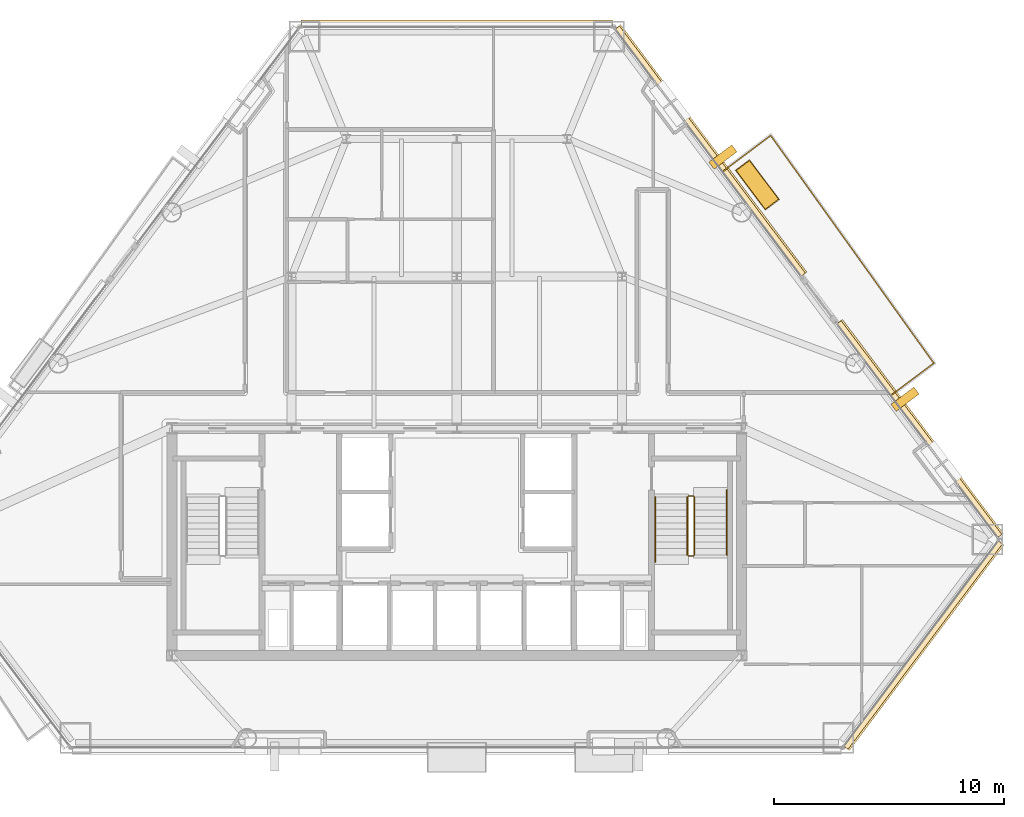
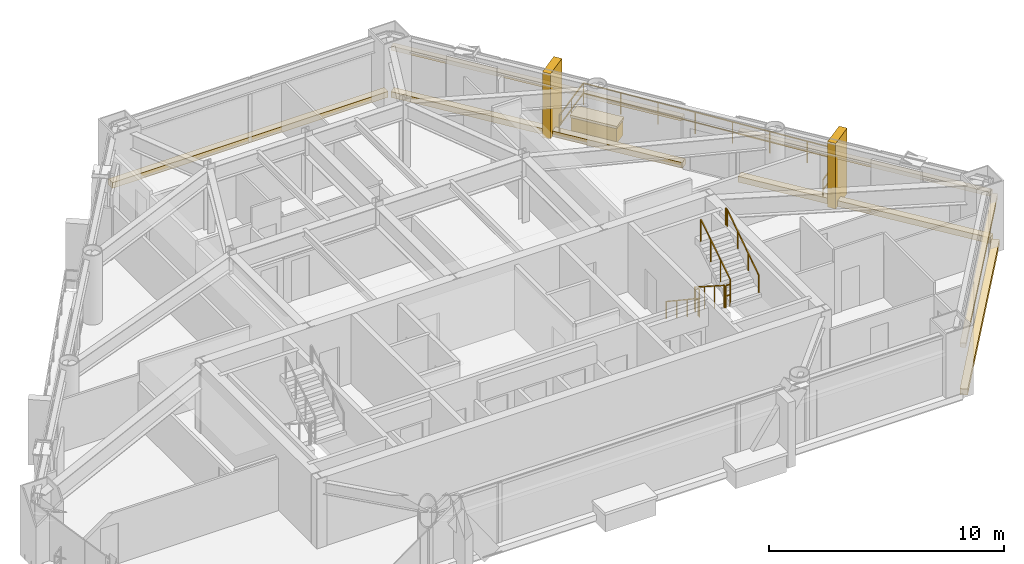
# One storey, part 10 of 10: 11 coverings, 7 railings.
"""IFC4 building model written with IfcOpenShell, lengths in metres."""

from ifc_helpers import new_model, si_unit, direction, frame, origin, origin_2d, place, context, subcontext, project, spatial, rectangle, extrude, material, layer, layer_set, type_object, element, save


model = new_model("IFC4")

# Units and contexts
model_context = context("Model", 3, precision=1e-05, world=origin(), true_north=direction((0.0, 1.0)))
body_context = subcontext(model_context, "Body", "Model", "MODEL_VIEW")
ifc_project = project(units=[si_unit("LENGTHUNIT", "METRE"), si_unit("AREAUNIT", "SQUARE_METRE"), si_unit("VOLUMEUNIT", "CUBIC_METRE"), si_unit("PLANEANGLEUNIT", "RADIAN"), si_unit("MASSUNIT", "GRAM", prefix="KILO")], contexts=[model_context])

# Site, building, storey
site_placement = place(None, origin())
site = spatial("IfcSite", under=ifc_project, at=site_placement, CompositionType="ELEMENT")
building_placement = place(site_placement, origin())
building = spatial("IfcBuilding", under=site, at=building_placement, Name="Talgorran Terracotta Tower", CompositionType="ELEMENT")
storey_placement = place(building_placement, frame((0.0, 0.0, 82.800048828125)))
storey = spatial("IfcBuildingStorey", under=building, at=storey_placement, Name="L21", CompositionType="ELEMENT", Elevation=82.800048828125)

# Coverings
ifc_material_1 = material(Name="Kiln-Fired Terracotta Ochre Ceramic", Category="masonry")
ifc_layer_1 = layer(ifc_material_1, 0.179931640625, Name="COV_BAGUETTE_TERRACOTTA_SCREEN")
ifc_layer_set_1 = layer_set([ifc_layer_1], Name="Kiln-Fired Terracotta Ochre Ceramic")
covering_type_1 = type_object("IfcCoveringType", Name="COV_BAGUETTE_TERRACOTTA_SCREEN", PredefinedType="CLADDING", material=ifc_layer_set_1)
covering_1_placement = place(storey_placement, frame((20.296630859375, -13.63720703125, 2.41015625), z_axis=(0.0, 0.0, 1.0), x_axis=(0.601048110939, 0.79921284295, 0.0)))
element("IfcCovering", 1, at=covering_1_placement, inside=storey, type_object=covering_type_1, Name="L21 Terracotta Baguette Solar Screen Assembly F2", PredefinedType="CLADDING", context=body_context, shape_type="SweptSolid", body=[
    extrude(rectangle(XDim=11.184326171875, YDim=0.260009765625, at=origin_2d()), origin(), (0.0, 0.0, 1.0), 0.219970703125),
])
covering_2_placement = place(storey_placement, frame((20.135009765625, -4.251220703125, 2.41015625), z_axis=(0.0, 0.0, 1.0), x_axis=(-0.601048110939, 0.79921284295, 0.0)))
element("IfcCovering", 2, at=covering_2_placement, inside=storey, type_object=covering_type_1, Name="L21 Terracotta Baguette Solar Screen Assembly F40", PredefinedType="CLADDING", context=body_context, shape_type="SweptSolid", body=[
    extrude(rectangle(XDim=11.642822265625, YDim=0.260009765625, at=origin_2d()), origin(), (0.0, 0.0, 1.0), 0.219970703125),
])
covering_3_placement = place(storey_placement, frame((11.028076171875, 7.8583984375, 2.41015625), z_axis=(0.0, 0.0, 1.0), x_axis=(-0.601048110939, 0.79921284295, 0.0)))
element("IfcCovering", 3, at=covering_3_placement, inside=storey, type_object=covering_type_1, Name="L21 Terracotta Baguette Solar Screen Assembly F41", PredefinedType="CLADDING", context=body_context, shape_type="SweptSolid", body=[
    extrude(rectangle(XDim=13.460693359375, YDim=0.260009765625, at=origin_2d()), origin(), (0.0, 0.0, 1.0), 0.219970703125),
])
ifc_material_2 = material(Name="Honed Limestone and Terracotta Planter", Category="masonry")
ifc_layer_2 = layer(ifc_material_2, 0.1201171875, Name="COV_PLANTER_BOX")
ifc_layer_set_2 = layer_set([ifc_layer_2], Name="Honed Limestone and Terracotta Planter")
covering_type_2 = type_object("IfcCoveringType", Name="COV_PLANTER_BOX", PredefinedType="CLADDING", material=ifc_layer_set_2)
covering_4_placement = place(storey_placement, frame((13.092041015625, 6.394775390625, -0.02001953125), z_axis=(0.0, 0.0, 1.0), x_axis=(-0.601048110939, 0.79921284295, 0.0)))
element("IfcCovering", 4, at=covering_4_placement, inside=storey, type_object=covering_type_2, Name="L21 Staggered Balcony Planter Box BAL-NE", PredefinedType="CLADDING", context=body_context, shape_type="SweptSolid", body=[
    extrude(rectangle(XDim=2.10009765625, YDim=0.719970703125, at=origin_2d()), origin(), (0.0, 0.0, 1.0), 0.860107421875),
])
ifc_material_3 = material(Name="Kiln-Fired Terracotta Planter Rim", Category="masonry")
ifc_layer_3 = layer(ifc_material_3, 0.10009765625, Name="COV_PLANTER_RIM")
ifc_layer_set_3 = layer_set([ifc_layer_3], Name="Kiln-Fired Terracotta Planter Rim")
covering_type_3 = type_object("IfcCoveringType", Name="COV_PLANTER_RIM", PredefinedType="CLADDING", material=ifc_layer_set_3)
covering_5_placement = place(storey_placement, frame((13.092041015625, 6.394775390625, 0.7998046875), z_axis=(0.0, 0.0, 1.0), x_axis=(-0.601048110939, 0.79921284295, 0.0)))
element("IfcCovering", 5, at=covering_5_placement, inside=storey, type_object=covering_type_3, Name="L21 Balcony Planter Terracotta Rim BAL-NE", PredefinedType="CLADDING", context=body_context, shape_type="SweptSolid", body=[
    extrude(rectangle(XDim=2.179931640625, YDim=0.780029296875, at=origin_2d()), origin(), (0.0, 0.0, 1.0), 0.1201171875),
])
ifc_material_4 = material(Name="Honed Limestone Cladding", Category="masonry")
ifc_layer_4 = layer(ifc_material_4, 0.094970703125, Name="COV_PORTAL_LIME")
ifc_layer_set_4 = layer_set([ifc_layer_4], Name="Honed Limestone Cladding")
covering_type_4 = type_object("IfcCoveringType", Name="COV_PORTAL_LIME", PredefinedType="CLADDING", material=ifc_layer_set_4)
covering_6_placement = place(storey_placement, frame((19.5224609375, -2.937744140625, -0.050048828125), z_axis=(0.0, 0.0, 1.0), x_axis=(-0.601048110939, 0.79921284295, 0.0)))
element("IfcCovering", 6, at=covering_6_placement, inside=storey, type_object=covering_type_4, Name="L21 White Striped Portal Fin F3-1", PredefinedType="CLADDING", context=body_context, shape_type="SweptSolid", body=[
    extrude(rectangle(XDim=0.3798828125, YDim=1.25, at=origin_2d()), origin(), (0.0, 0.0, 1.0), 3.39990234375),
])
ifc_material_5 = material(Name="Kiln-Fired Terracotta Cladding", Category="masonry")
ifc_layer_5 = layer(ifc_material_5, 0.090087890625, Name="COV_PORTAL_TERRA")
ifc_layer_set_5 = layer_set([ifc_layer_5], Name="Kiln-Fired Terracotta Cladding")
covering_type_5 = type_object("IfcCoveringType", Name="COV_PORTAL_TERRA", PredefinedType="CLADDING", material=ifc_layer_set_5)
covering_7_placement = place(storey_placement, frame((20.32861328125, -13.6611328125, -0.0400390625), z_axis=(0.0, 0.0, 1.0), x_axis=(0.601048110939, 0.79921284295, 0.0)))
element("IfcCovering", 7, at=covering_7_placement, inside=storey, type_object=covering_type_5, Name="L21 Striped Postmodern Portal Cladding Band F2", PredefinedType="CLADDING", context=body_context, shape_type="SweptSolid", body=[
    extrude(rectangle(XDim=11.204345703125, YDim=0.340087890625, at=origin_2d()), origin(), (0.0, 0.0, 1.0), 0.300048828125),
])
covering_8_placement = place(storey_placement, frame((20.166748046875, -4.22705078125, -0.0400390625), z_axis=(0.0, 0.0, 1.0), x_axis=(-0.601048110939, 0.79921284295, 0.0)))
element("IfcCovering", 8, at=covering_8_placement, inside=storey, type_object=covering_type_5, Name="L21 Striped Postmodern Portal Cladding Band F40", PredefinedType="CLADDING", context=body_context, shape_type="SweptSolid", body=[
    extrude(rectangle(XDim=11.662841796875, YDim=0.340087890625, at=origin_2d()), origin(), (0.0, 0.0, 1.0), 0.300048828125),
])
covering_9_placement = place(storey_placement, frame((11.059814453125, 7.88232421875, -0.0400390625), z_axis=(0.0, 0.0, 1.0), x_axis=(-0.601048110939, 0.79921284295, 0.0)))
element("IfcCovering", 9, at=covering_9_placement, inside=storey, type_object=covering_type_5, Name="L21 Striped Postmodern Portal Cladding Band F41", PredefinedType="CLADDING", context=body_context, shape_type="SweptSolid", body=[
    extrude(rectangle(XDim=13.480712890625, YDim=0.340087890625, at=origin_2d()), origin(), (0.0, 0.0, 1.0), 0.300048828125),
])
covering_10_placement = place(storey_placement, frame((0.0, 13.405029296875, -0.0400390625), z_axis=(0.0, 0.0, 1.0), x_axis=(-1.0, 0.0, 0.0)))
element("IfcCovering", 10, at=covering_10_placement, inside=storey, type_object=covering_type_5, Name="L21 Striped Postmodern Portal Cladding Band F4", PredefinedType="CLADDING", context=body_context, shape_type="SweptSolid", body=[
    extrude(rectangle(XDim=13.553466796875, YDim=0.340087890625, at=origin_2d()), origin(), (0.0, 0.0, 1.0), 0.300048828125),
])
covering_11_placement = place(storey_placement, frame((11.591796875, 7.607666015625, -0.050048828125), z_axis=(0.0, 0.0, 1.0), x_axis=(-0.601048110939, 0.79921284295, 0.0)))
element("IfcCovering", 11, at=covering_11_placement, inside=storey, type_object=covering_type_5, Name="L21 Terracotta Striped Portal Fin F3-2", PredefinedType="CLADDING", context=body_context, shape_type="SweptSolid", body=[
    extrude(rectangle(XDim=0.3798828125, YDim=1.25, at=origin_2d()), origin(), (0.0, 0.0, 1.0), 3.39990234375),
])

# Railings
ifc_material_6 = material(Name="Laminated Glass and Stainless Steel 316", Category="steel")
railing_type_1 = type_object("IfcRailingType", Name="RL_BALCONY_1150", PredefinedType="BALUSTRADE", material=ifc_material_6)
railing_1_placement = place(storey_placement, frame((18.91748046875, -2.765625, 0.0)))
element("IfcRailing", 12, at=railing_1_placement, inside=storey, type_object=railing_type_1, Name="RL-L21-BAL-BAL-NE", PredefinedType="BALUSTRADE", context=body_context, shape_type="SweptSolid", body=[
    extrude(rectangle(XDim=0.048095703125, YDim=0.048095703125, at=origin_2d()), frame((0.0, 0.0, 1.1259765625), z_axis=(0.799217134534, 0.601042404384, 0.0), x_axis=(-0.601042404384, 0.799217134534, 0.0)), (0.0, 0.0, 1.0), 2.322265625),
    extrude(rectangle(XDim=0.048095703125, YDim=0.048095703125, at=origin_2d()), frame((0.0, 0.0, 0.597900390625), z_axis=(0.799217134534, 0.601042404384, 0.0), x_axis=(-0.601042404384, 0.799217134534, 0.0)), (0.0, 0.0, 1.0), 2.322265625),
    extrude(rectangle(XDim=0.048095703125, YDim=0.048095703125, at=origin_2d()), frame((1.85595703125, 1.395751953125, 1.1259765625), z_axis=(-0.582335972451, 0.812948224175, 0.0), x_axis=(-0.812948224175, -0.582335972451, 0.0)), (0.0, 0.0, 1.0), 12.19580078125),
    extrude(rectangle(XDim=0.048095703125, YDim=0.048095703125, at=origin_2d()), frame((1.85595703125, 1.395751953125, 0.597900390625), z_axis=(-0.582335972451, 0.812948224175, 0.0), x_axis=(-0.812948224175, -0.582335972451, 0.0)), (0.0, 0.0, 1.0), 12.19580078125),
    extrude(rectangle(XDim=0.048095703125, YDim=0.048095703125, at=origin_2d()), frame((-5.24609375, 11.310302734375, 1.1259765625), z_axis=(-0.799189586056, -0.601079034353, 0.0), x_axis=(0.601079034353, -0.799189586056, 0.0)), (0.0, 0.0, 1.0), 2.605224609375),
    extrude(rectangle(XDim=0.048095703125, YDim=0.048095703125, at=origin_2d()), frame((-5.24609375, 11.310302734375, 0.597900390625), z_axis=(-0.799189586056, -0.601079034353, 0.0), x_axis=(0.601079034353, -0.799189586056, 0.0)), (0.0, 0.0, 1.0), 2.605224609375),
    extrude(rectangle(XDim=0.0419921875, YDim=0.0419921875, at=origin_2d()), origin(), (0.0, 0.0, 1.0), 1.101806640625),
    extrude(rectangle(XDim=0.0419921875, YDim=0.0419921875, at=origin_2d()), frame((0.927978515625, 0.69775390625, 0.0)), (0.0, 0.0, 1.0), 1.101806640625),
    extrude(rectangle(XDim=0.0419921875, YDim=0.0419921875, at=origin_2d()), frame((1.85595703125, 1.395751953125, 0.0)), (0.0, 0.0, 1.0), 1.101806640625),
    extrude(rectangle(XDim=0.0419921875, YDim=0.0419921875, at=origin_2d()), frame((0.84130859375, 2.81201171875, 0.0)), (0.0, 0.0, 1.0), 1.101806640625),
    extrude(rectangle(XDim=0.0419921875, YDim=0.0419921875, at=origin_2d()), frame((-0.173095703125, 4.228515625, 0.0)), (0.0, 0.0, 1.0), 1.101806640625),
    extrude(rectangle(XDim=0.0419921875, YDim=0.0419921875, at=origin_2d()), frame((-1.187744140625, 5.644775390625, 0.0)), (0.0, 0.0, 1.0), 1.101806640625),
    extrude(rectangle(XDim=0.0419921875, YDim=0.0419921875, at=origin_2d()), frame((-2.202392578125, 7.061279296875, 0.0)), (0.0, 0.0, 1.0), 1.101806640625),
    extrude(rectangle(XDim=0.0419921875, YDim=0.0419921875, at=origin_2d()), frame((-3.217041015625, 8.4775390625, 0.0)), (0.0, 0.0, 1.0), 1.101806640625),
    extrude(rectangle(XDim=0.0419921875, YDim=0.0419921875, at=origin_2d()), frame((-4.2314453125, 9.89404296875, 0.0)), (0.0, 0.0, 1.0), 1.101806640625),
    extrude(rectangle(XDim=0.0419921875, YDim=0.0419921875, at=origin_2d()), frame((-5.24609375, 11.310302734375, 0.0)), (0.0, 0.0, 1.0), 1.101806640625),
    extrude(rectangle(XDim=0.0419921875, YDim=0.0419921875, at=origin_2d()), frame((-6.287109375, 10.52734375, 0.0)), (0.0, 0.0, 1.0), 1.101806640625),
    extrude(rectangle(XDim=0.0419921875, YDim=0.0419921875, at=origin_2d()), frame((-7.328125, 9.744384765625, 0.0)), (0.0, 0.0, 1.0), 1.101806640625),
])
ifc_material_7 = material(Name="Steel S355 (300PLUS)", Category="steel")
railing_type_2 = type_object("IfcRailingType", Name="RL_HANDRAIL_920", PredefinedType="HANDRAIL", material=ifc_material_7)
railing_2_placement = place(storey_placement, frame((8.64990234375, -7.199951171875, 0.179931640625)))
element("IfcRailing", 13, at=railing_2_placement, inside=storey, type_object=railing_type_2, Name="L21 ST-02 stair handrail 1", PredefinedType="HANDRAIL", context=body_context, shape_type="SweptSolid", body=[
    extrude(rectangle(XDim=0.048095703125, YDim=0.048095703125, at=origin_2d()), frame((0.0, 0.0, 0.89599609375), z_axis=(0.0, -0.832038719335, 0.554717558338), x_axis=(1.0, 0.0, 0.0)), (0.0, 0.0, 1.0), 3.244873046875),
    extrude(rectangle(XDim=0.048095703125, YDim=0.048095703125, at=origin_2d()), frame((0.0, -2.699951171875, 2.69580078125), z_axis=(0.0, -1.0, 0.0), x_axis=(1.0, 0.0, 0.0)), (0.0, 0.0, 1.0), 0.1201171875),
    extrude(rectangle(XDim=0.0419921875, YDim=0.0419921875, at=origin_2d()), origin(), (0.0, 0.0, 1.0), 0.871826171875),
    extrude(rectangle(XDim=0.0419921875, YDim=0.0419921875, at=origin_2d()), frame((0.0, -0.89990234375, 0.60009765625)), (0.0, 0.0, 1.0), 0.871826171875),
    extrude(rectangle(XDim=0.0419921875, YDim=0.0419921875, at=origin_2d()), frame((0.0, -1.800048828125, 1.199951171875)), (0.0, 0.0, 1.0), 0.871826171875),
    extrude(rectangle(XDim=0.0419921875, YDim=0.0419921875, at=origin_2d()), frame((0.0, -2.699951171875, 1.800048828125)), (0.0, 0.0, 1.0), 0.871826171875),
    extrude(rectangle(XDim=0.0419921875, YDim=0.0419921875, at=origin_2d()), frame((0.0, -2.820068359375, 1.800048828125)), (0.0, 0.0, 1.0), 0.871826171875),
])
railing_3_placement = place(storey_placement, frame((11.75, -9.719970703125, 1.97998046875)))
element("IfcRailing", 14, at=railing_3_placement, inside=storey, type_object=railing_type_2, Name="L21 ST-02 stair handrail 2", PredefinedType="HANDRAIL", context=body_context, shape_type="SweptSolid", body=[
    extrude(rectangle(XDim=0.048095703125, YDim=0.048095703125, at=origin_2d()), frame((0.0, 0.0, 0.89599609375), z_axis=(0.0, 0.832038719335, 0.554717558338), x_axis=(-1.0, 0.0, 0.0)), (0.0, 0.0, 1.0), 3.244873046875),
    extrude(rectangle(XDim=0.048095703125, YDim=0.048095703125, at=origin_2d()), frame((0.0, 2.699951171875, 2.69580078125), z_axis=(0.0, 1.0, 0.0), x_axis=(-1.0, 0.0, 0.0)), (0.0, 0.0, 1.0), 0.1201171875),
    extrude(rectangle(XDim=0.0419921875, YDim=0.0419921875, at=origin_2d()), origin(), (0.0, 0.0, 1.0), 0.871826171875),
    extrude(rectangle(XDim=0.0419921875, YDim=0.0419921875, at=origin_2d()), frame((0.0, 0.89990234375, 0.60009765625)), (0.0, 0.0, 1.0), 0.871826171875),
    extrude(rectangle(XDim=0.0419921875, YDim=0.0419921875, at=origin_2d()), frame((0.0, 1.800048828125, 1.199951171875)), (0.0, 0.0, 1.0), 0.871826171875),
    extrude(rectangle(XDim=0.0419921875, YDim=0.0419921875, at=origin_2d()), frame((0.0, 2.699951171875, 1.800048828125)), (0.0, 0.0, 1.0), 0.871826171875),
    extrude(rectangle(XDim=0.0419921875, YDim=0.0419921875, at=origin_2d()), frame((0.0, 2.820068359375, 1.800048828125)), (0.0, 0.0, 1.0), 0.871826171875),
])
railing_type_3 = type_object("IfcRailingType", Name="RL_STAIR_GUARD", PredefinedType="GUARDRAIL", material=ifc_material_7)
railing_4_placement = place(storey_placement, frame((10.050048828125, -7.199951171875, 0.179931640625)))
element("IfcRailing", 15, at=railing_4_placement, inside=storey, type_object=railing_type_3, Name="L21 ST-02 stair guard 1", PredefinedType="GUARDRAIL", context=body_context, shape_type="SweptSolid", body=[
    extrude(rectangle(XDim=0.048095703125, YDim=0.048095703125, at=origin_2d()), frame((0.0, 0.0, 1.15576171875), z_axis=(0.0, -0.841162588446, 0.540782303519), x_axis=(1.0, 0.0, 0.0)), (0.0, 0.0, 1.0), 2.995849609375),
    extrude(rectangle(XDim=0.0419921875, YDim=0.0419921875, at=origin_2d()), origin(), (0.0, 0.0, 1.0), 1.1318359375),
    extrude(rectangle(XDim=0.0419921875, YDim=0.0419921875, at=origin_2d()), frame((0.0, -0.840087890625, 0.5400390625)), (0.0, 0.0, 1.0), 1.1318359375),
    extrude(rectangle(XDim=0.0419921875, YDim=0.0419921875, at=origin_2d()), frame((0.0, -1.679931640625, 1.080078125)), (0.0, 0.0, 1.0), 1.1318359375),
    extrude(rectangle(XDim=0.0419921875, YDim=0.0419921875, at=origin_2d()), frame((0.0, -2.52001953125, 1.6201171875)), (0.0, 0.0, 1.0), 1.1318359375),
])
railing_5_placement = place(storey_placement, frame((10.10009765625, -9.77001953125, 1.800048828125)))
element("IfcRailing", 16, at=railing_5_placement, inside=storey, type_object=railing_type_3, Name="L21 ST-02 stair guard 2", PredefinedType="GUARDRAIL", context=body_context, shape_type="SweptSolid", body=[
    extrude(rectangle(XDim=0.048095703125, YDim=0.048095703125, at=origin_2d()), frame((0.0, 0.0, 1.15576171875), z_axis=(1.0, 0.0, 0.0), x_axis=(0.0, 1.0, 0.0)), (0.0, 0.0, 1.0), 0.199951171875),
    extrude(rectangle(XDim=0.048095703125, YDim=0.048095703125, at=origin_2d()), frame((0.0, 0.0, 0.613525390625), z_axis=(1.0, 0.0, 0.0), x_axis=(0.0, 1.0, 0.0)), (0.0, 0.0, 1.0), 0.199951171875),
    extrude(rectangle(XDim=0.0419921875, YDim=0.0419921875, at=origin_2d()), origin(), (0.0, 0.0, 1.0), 1.1318359375),
    extrude(rectangle(XDim=0.0419921875, YDim=0.0419921875, at=origin_2d()), frame((0.199951171875, 0.0, 0.0)), (0.0, 0.0, 1.0), 1.1318359375),
])
railing_6_placement = place(storey_placement, frame((10.35009765625, -9.719970703125, 1.97998046875)))
element("IfcRailing", 17, at=railing_6_placement, inside=storey, type_object=railing_type_3, Name="L21 ST-02 stair guard 3", PredefinedType="GUARDRAIL", context=body_context, shape_type="SweptSolid", body=[
    extrude(rectangle(XDim=0.048095703125, YDim=0.048095703125, at=origin_2d()), frame((0.0, 0.0, 1.15576171875), z_axis=(0.0, 0.841199657755, 0.540724639528), x_axis=(-1.0, 0.0, 0.0)), (0.0, 0.0, 1.0), 2.995849609375),
    extrude(rectangle(XDim=0.0419921875, YDim=0.0419921875, at=origin_2d()), origin(), (0.0, 0.0, 1.0), 1.1318359375),
    extrude(rectangle(XDim=0.0419921875, YDim=0.0419921875, at=origin_2d()), frame((0.0, 0.840087890625, 0.5400390625)), (0.0, 0.0, 1.0), 1.1318359375),
    extrude(rectangle(XDim=0.0419921875, YDim=0.0419921875, at=origin_2d()), frame((0.0, 1.679931640625, 1.079833984375)), (0.0, 0.0, 1.0), 1.1318359375),
    extrude(rectangle(XDim=0.0419921875, YDim=0.0419921875, at=origin_2d()), frame((0.0, 2.52001953125, 1.619873046875)), (0.0, 0.0, 1.0), 1.1318359375),
])
railing_7_placement = place(storey_placement, frame((10.10009765625, -7.14990234375, 0.0)))
element("IfcRailing", 18, at=railing_7_placement, inside=storey, type_object=railing_type_3, Name="L21 ST-02 stair guard 4", PredefinedType="GUARDRAIL", context=body_context, shape_type="SweptSolid", body=[
    extrude(rectangle(XDim=0.048095703125, YDim=0.048095703125, at=origin_2d()), frame((0.0, 0.0, 1.15576171875), z_axis=(1.0, 0.0, 0.0), x_axis=(0.0, 1.0, 0.0)), (0.0, 0.0, 1.0), 0.199951171875),
    extrude(rectangle(XDim=0.048095703125, YDim=0.048095703125, at=origin_2d()), frame((0.0, 0.0, 0.613525390625), z_axis=(1.0, 0.0, 0.0), x_axis=(0.0, 1.0, 0.0)), (0.0, 0.0, 1.0), 0.199951171875),
    extrude(rectangle(XDim=0.0419921875, YDim=0.0419921875, at=origin_2d()), origin(), (0.0, 0.0, 1.0), 1.1318359375),
    extrude(rectangle(XDim=0.0419921875, YDim=0.0419921875, at=origin_2d()), frame((0.199951171875, 0.0, 0.0)), (0.0, 0.0, 1.0), 1.1318359375),
])

save(model, "model.ifc")
